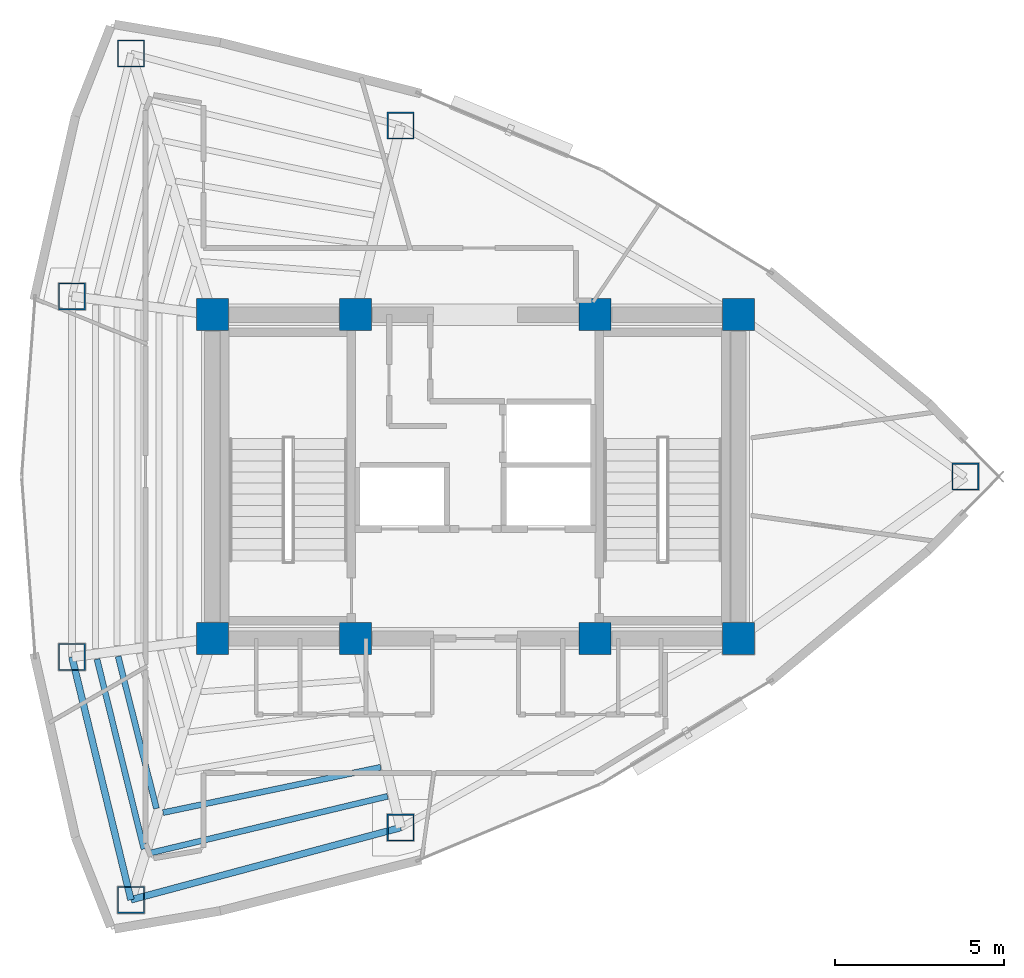
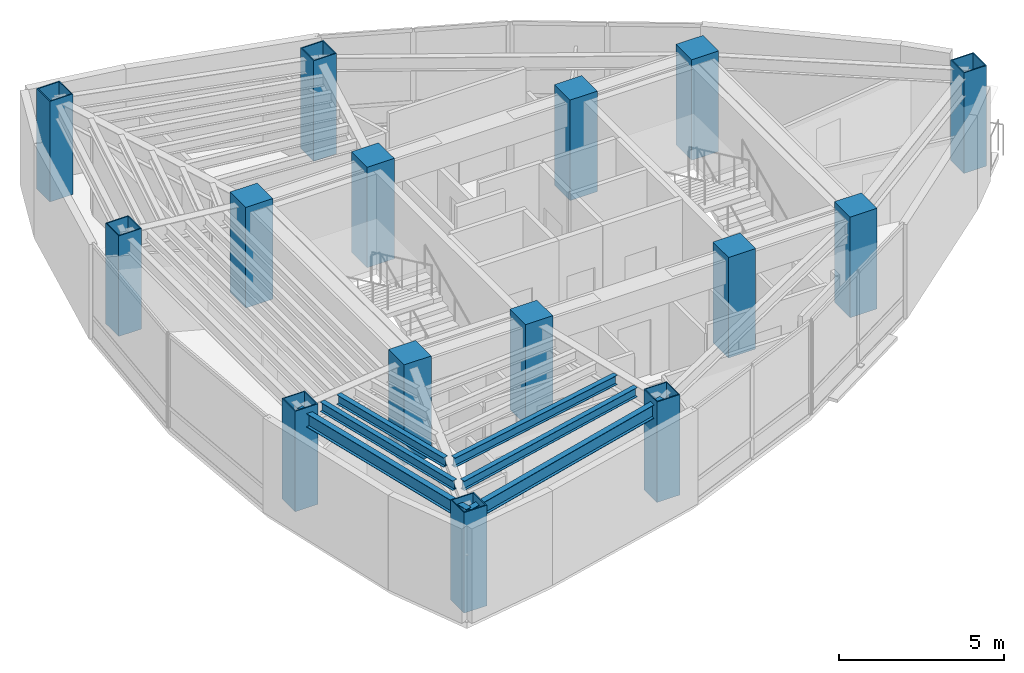
# One storey, part 1 of 15: 15 columns, 6 beams.
"""IFC4 building model written with IfcOpenShell, lengths in metres."""

from ifc_helpers import new_model, si_unit, direction, frame, origin, origin_2d, place, context, subcontext, project, spatial, rectangle, hollow_rectangle, i_section, extrude, material, material_profile, profile_set, type_object, element, save


model = new_model("IFC4")

# Units and contexts
model_context = context("Model", 3, precision=1e-05, world=origin(), true_north=direction((0.0, 1.0)))
body_context = subcontext(model_context, "Body", "Model", "MODEL_VIEW")
ifc_project = project(units=[si_unit("LENGTHUNIT", "METRE"), si_unit("AREAUNIT", "SQUARE_METRE"), si_unit("VOLUMEUNIT", "CUBIC_METRE"), si_unit("PLANEANGLEUNIT", "RADIAN"), si_unit("MASSUNIT", "GRAM", prefix="KILO")], contexts=[model_context])

# Site, building, storey
site_placement = place(None, origin())
site = spatial("IfcSite", under=ifc_project, at=site_placement, CompositionType="ELEMENT")
building_placement = place(site_placement, origin())
building = spatial("IfcBuilding", under=site, at=building_placement, Name="Menara Vayukalpa", CompositionType="ELEMENT")
storey_placement = place(building_placement, frame((0.0, 0.0, 284.340087890625)))
storey = spatial("IfcBuildingStorey", under=building, at=storey_placement, Name="L72", CompositionType="ELEMENT", Elevation=284.340087890625)

# Columns
ifc_material_1 = material(Name="Concrete C60/75", Category="concrete")
ifc_material_profile_1 = material_profile(ifc_material_1, rectangle(XDim=0.949951171875, YDim=0.949951171875, at=origin_2d()), Name="RC 950x950")
ifc_profile_set_1 = profile_set([ifc_material_profile_1], Name="Concrete C60/75")
column_type_1 = type_object("IfcColumnType", Name="COL-CC2", PredefinedType="COLUMN", material=ifc_profile_set_1)
for number, where, z_axis, x_axis, name in (
    (1, (17.800048828125, 17.199951171875, 0.0), (0.0, 0.0, 1.0), (1.0, 0.0, 0.0), "L72 Core Pilaster Column CC1"),
    (2, (22.050048828125, 17.199951171875, 0.0), (0.0, 0.0, 1.0), (1.0, 0.0, 0.0), "L72 Core Pilaster Column CC2"),
    (3, (29.14990234375, 17.199951171875, 0.0), (0.0, 0.0, 1.0), (1.0, 0.0, 0.0), "L72 Core Pilaster Column CC3"),
    (4, (33.39990234375, 17.199951171875, 0.0), (0.0, 0.0, 1.0), (1.0, 0.0, 0.0), "L72 Core Pilaster Column CC4"),
    (5, (17.800048828125, 26.800048828125, 0.0), (0.0, 0.0, 1.0), (1.0, 0.0, 0.0), "L72 Core Pilaster Column CC5"),
    (6, (22.050048828125, 26.800048828125, 0.0), (0.0, 0.0, 1.0), (1.0, 0.0, 0.0), "L72 Core Pilaster Column CC6"),
    (7, (29.14990234375, 26.800048828125, 0.0), (0.0, 0.0, 1.0), (1.0, 0.0, 0.0), "L72 Core Pilaster Column CC7"),
    (8, (33.39990234375, 26.800048828125, 0.0), (0.0, 0.0, 1.0), (1.0, 0.0, 0.0), "L72 Core Pilaster Column CC8"),
):
    element("IfcColumn", number, at=place(storey_placement, frame(where, z_axis=z_axis, x_axis=x_axis)), inside=storey, type_object=column_type_1, Name=name, PredefinedType="COLUMN", context=body_context, shape_type="SweptSolid", body=[
        extrude(rectangle(XDim=0.949951171875, YDim=0.949951171875, at=origin_2d()), origin(), (0.0, 0.0, 1.0), 3.719970703125),
    ])
ifc_material_2 = material(Name="Steel S355", Category="steel")
ifc_material_profile_2 = material_profile(ifc_material_2, hollow_rectangle(XDim=0.800048828125, YDim=0.800048828125, WallThickness=0.034912109375, at=origin_2d()), Name="BOX 800x800x35")
ifc_profile_set_2 = profile_set([ifc_material_profile_2], Name="Steel S355")
column_type_2 = type_object("IfcColumnType", Name="COL-MC5", PredefinedType="COLUMN", material=ifc_profile_set_2)
for number, where, z_axis, x_axis, name in (
    (9, (40.121826171875, 22.0, 0.0), (0.0, 0.0, 1.0), (1.0, 0.0, 0.0), "L72 Perimeter Mega Column P01"),
    (10, (23.3818359375, 32.40478515625, 0.0), (0.0, 0.0, 1.0), (1.0, 0.0, 0.0), "L72 Perimeter Mega Column P03"),
    (11, (15.38916015625, 34.544677734375, 0.0), (0.0, 0.0, 1.0), (1.0, 0.0, 0.0), "L72 Perimeter Mega Column P04"),
    (12, (13.638916015625, 27.3466796875, 0.0), (0.0, 0.0, 1.0), (1.0, 0.0, 0.0), "L72 Perimeter Mega Column P05"),
    (13, (13.638916015625, 16.6533203125, 0.0), (0.0, 0.0, 1.0), (1.0, 0.0, 0.0), "L72 Perimeter Mega Column P06"),
    (14, (15.38916015625, 9.455322265625, 0.0), (0.0, 0.0, 1.0), (1.0, 0.0, 0.0), "L72 Perimeter Mega Column P07"),
    (15, (23.3818359375, 11.59521484375, 0.0), (0.0, 0.0, 1.0), (1.0, 0.0, 0.0), "L72 Perimeter Mega Column P08"),
):
    element("IfcColumn", number, at=place(storey_placement, frame(where, z_axis=z_axis, x_axis=x_axis)), inside=storey, type_object=column_type_2, Name=name, PredefinedType="COLUMN", context=body_context, shape_type="SweptSolid", body=[
        extrude(hollow_rectangle(XDim=0.800048828125, YDim=0.800048828125, WallThickness=0.034912109375, at=origin_2d()), origin(), (0.0, 0.0, 1.0), 3.719970703125),
    ])

# Beams
ifc_material_3 = material(Name="Steel S355", Category="steel")
ifc_material_profile_3 = material_profile(ifc_material_3, i_section(OverallWidth=0.175048828125, OverallDepth=0.35009765625, WebThickness=0.007080078125, FlangeThickness=0.010986328125, at=origin_2d()), Name="WF 350x175x7x11")
ifc_profile_set_3 = profile_set([ifc_material_profile_3], Name="Steel S355")
beam_type_1 = type_object("IfcBeamType", Name="BM-SJ3", PredefinedType="JOIST", material=ifc_profile_set_3)
beam_1_placement = place(storey_placement, frame((15.008544921875, 16.6728515625, 3.324951171875), z_axis=(0.244239657645, -0.969714901212, 0.0), x_axis=(0.969714901212, 0.244239657645, 0.0)))
element("IfcBeam", 16, at=beam_1_placement, inside=storey, type_object=beam_type_1, Name="L72 Secondary Floor Joist SJ06-4", PredefinedType="JOIST", context=body_context, shape_type="SweptSolid", body=[
    extrude(i_section(OverallWidth=0.175048828125, OverallDepth=0.35009765625, WebThickness=0.007080078125, FlangeThickness=0.010986328125, at=origin_2d()), origin(), (0.0, 0.0, 1.0), 4.651123046875),
])
beam_2_placement = place(storey_placement, frame((14.381591796875, 16.590576171875, 3.324951171875), z_axis=(0.239690910211, -0.970849250688, 0.0), x_axis=(0.970849250688, 0.239690910211, 0.0)))
element("IfcBeam", 17, at=beam_2_placement, inside=storey, type_object=beam_type_1, Name="L72 Secondary Floor Joist SJ06-5", PredefinedType="JOIST", context=body_context, shape_type="SweptSolid", body=[
    extrude(i_section(OverallWidth=0.175048828125, OverallDepth=0.35009765625, WebThickness=0.007080078125, FlangeThickness=0.010986328125, at=origin_2d()), origin(), (0.0, 0.0, 1.0), 5.797607421875),
])
beam_3_placement = place(storey_placement, frame((16.340087890625, 12.0400390625, 3.324951171875), z_axis=(0.978940645958, 0.204145075108, 0.0), x_axis=(-0.204145075108, 0.978940645958, 0.0)))
element("IfcBeam", 18, at=beam_3_placement, inside=storey, type_object=beam_type_1, Name="L72 Secondary Floor Joist SJ07-4", PredefinedType="JOIST", context=body_context, shape_type="SweptSolid", body=[
    extrude(i_section(OverallWidth=0.175048828125, OverallDepth=0.35009765625, WebThickness=0.007080078125, FlangeThickness=0.010986328125, at=origin_2d()), origin(), (0.0, 0.0, 1.0), 6.5908203125),
])
beam_4_placement = place(storey_placement, frame((15.96533203125, 10.843505859375, 3.324951171875), z_axis=(0.972633830791, 0.232343347656, 0.0), x_axis=(-0.232343347656, 0.972633830791, 0.0)))
element("IfcBeam", 19, at=beam_4_placement, inside=storey, type_object=beam_type_1, Name="L72 Secondary Floor Joist SJ07-5", PredefinedType="JOIST", context=body_context, shape_type="SweptSolid", body=[
    extrude(i_section(OverallWidth=0.175048828125, OverallDepth=0.35009765625, WebThickness=0.007080078125, FlangeThickness=0.010986328125, at=origin_2d()), origin(), (0.0, 0.0, 1.0), 7.229248046875),
])
ifc_material_4 = material(Name="Steel S355", Category="steel")
ifc_material_profile_4 = material_profile(ifc_material_4, i_section(OverallWidth=0.199951171875, OverallDepth=0.5, WebThickness=0.010009765625, FlangeThickness=0.01611328125, at=origin_2d()), Name="WF 500x200x10x16")
ifc_profile_set_4 = profile_set([ifc_material_profile_4], Name="Steel S355")
beam_type_2 = type_object("IfcBeamType", Name="BM-SP3", PredefinedType="SPANDREL", material=ifc_profile_set_4)
beam_5_placement = place(storey_placement, frame((13.638916015625, 16.6533203125, 3.25), z_axis=(0.236272525754, -0.97168682896, 0.0), x_axis=(0.97168682896, 0.236272525754, 0.0)))
element("IfcBeam", 20, at=beam_5_placement, inside=storey, type_object=beam_type_2, Name="L72 Perimeter Spandrel Beam SP06", PredefinedType="SPANDREL", context=body_context, shape_type="SweptSolid", body=[
    extrude(i_section(OverallWidth=0.199951171875, OverallDepth=0.5, WebThickness=0.010009765625, FlangeThickness=0.01611328125, at=origin_2d()), origin(), (0.0, 0.0, 1.0), 7.40771484375),
])
beam_6_placement = place(storey_placement, frame((15.38916015625, 9.455322265625, 3.25), z_axis=(0.965978332552, 0.258623009494, 0.0), x_axis=(-0.258623009494, 0.965978332552, 0.0)))
element("IfcBeam", 21, at=beam_6_placement, inside=storey, type_object=beam_type_2, Name="L72 Perimeter Spandrel Beam SP07", PredefinedType="SPANDREL", context=body_context, shape_type="SweptSolid", body=[
    extrude(i_section(OverallWidth=0.199951171875, OverallDepth=0.5, WebThickness=0.010009765625, FlangeThickness=0.01611328125, at=origin_2d()), origin(), (0.0, 0.0, 1.0), 8.274169921875),
])

save(model, "model.ifc")
